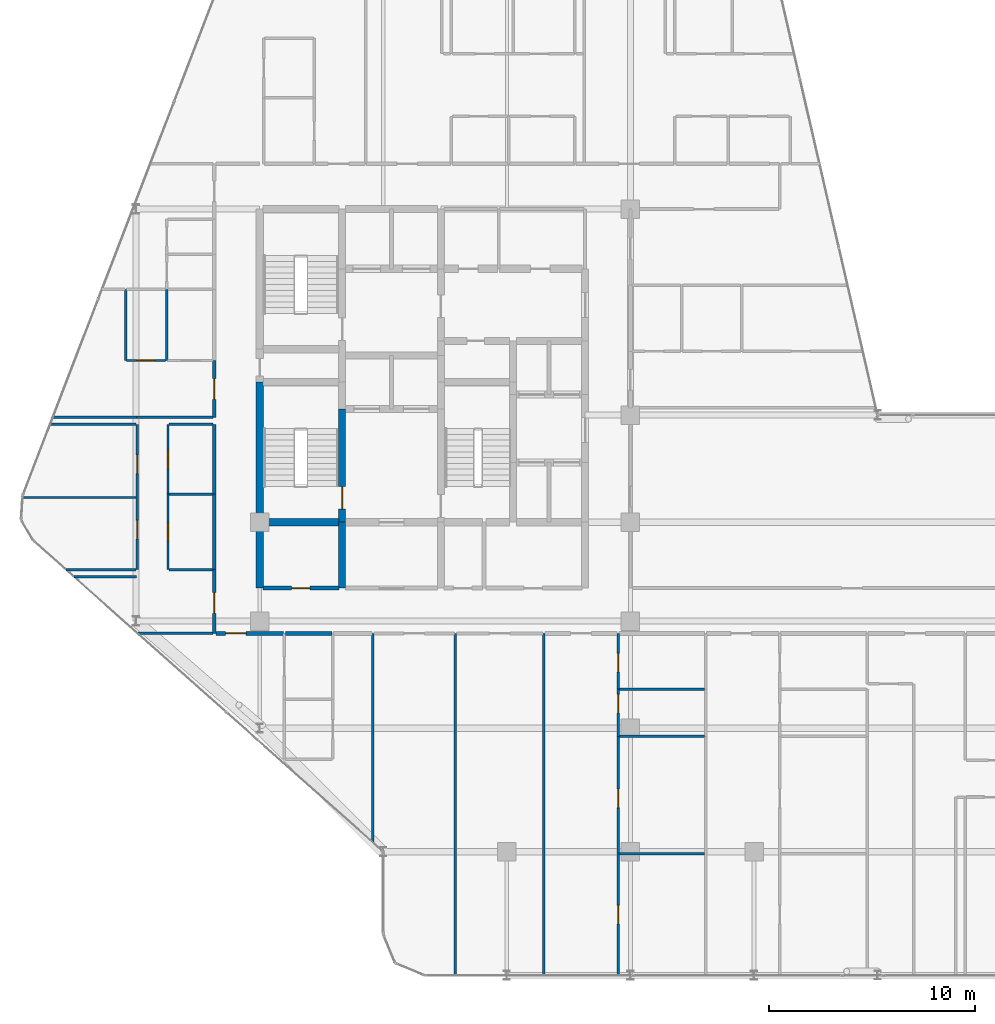
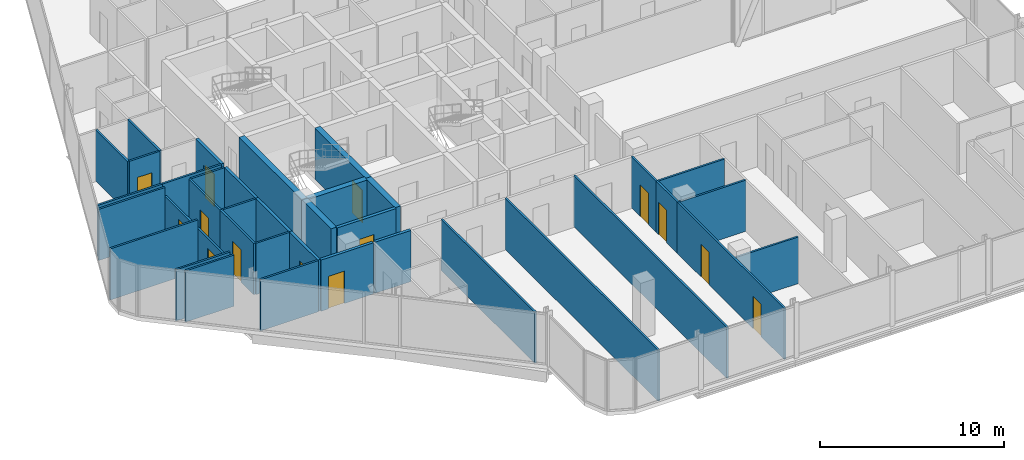
# One storey, part 23 of 29: 37 walls, 14 doors, 14 openings.
"""IFC4 building model written with IfcOpenShell, lengths in metres."""

from ifc_helpers import new_model, si_unit, direction, frame, frame_2d, origin, place, context, subcontext, project, spatial, rectangle, extrude, material, layer, layer_set, type_object, element, fill, save


model = new_model("IFC4")

# Units and contexts
model_context = context("Model", 3, precision=1e-05, world=origin(), true_north=direction((0.0, 1.0)))
body_context = subcontext(model_context, "Body", "Model", "MODEL_VIEW")
ifc_project = project(units=[si_unit("LENGTHUNIT", "METRE"), si_unit("AREAUNIT", "SQUARE_METRE"), si_unit("VOLUMEUNIT", "CUBIC_METRE"), si_unit("PLANEANGLEUNIT", "RADIAN"), si_unit("MASSUNIT", "GRAM", prefix="KILO")], contexts=[model_context])

# Site, building, storey
site_placement = place(None, origin())
site = spatial("IfcSite", under=ifc_project, at=site_placement, CompositionType="ELEMENT")
building_placement = place(site_placement, origin())
building = spatial("IfcBuilding", under=site, at=building_placement, Name="Keshet Zoharim Tower", CompositionType="ELEMENT")
storey_placement = place(building_placement, frame((0.0, 0.0, 199.5)))
storey = spatial("IfcBuildingStorey", under=building, at=storey_placement, Name="L49", CompositionType="ELEMENT", Elevation=199.5)

# Walls
ifc_material_1 = material(Name="Concrete C60/75", Category="concrete")
ifc_layer_1 = layer(ifc_material_1, 0.35009765625)
ifc_layer_set_1 = layer_set([ifc_layer_1], Name="Concrete C60/75")
wall_type_1 = type_object("IfcWallType", Name="WL-CORE-350", PredefinedType="SHEAR", material=ifc_layer_set_1)
wall_1_placement = place(storey_placement, frame((15.0, 19.5, 0.0), z_axis=(0.0, 0.0, 1.0), x_axis=(0.0, 1.0, 0.0)))
element("IfcWall", 1, at=wall_1_placement, inside=storey, type_object=wall_type_1, Name="L49 Core Shear Wall 016", PredefinedType="SHEAR", context=body_context, shape_type="SweptSolid", body=[
    extrude(rectangle(XDim=3.199951171875, YDim=0.35009765625, at=frame_2d((1.60009765625, 0.0))), origin(), (0.0, 0.0, 1.0), 3.389892578125),
])
wall_2_placement = place(storey_placement, frame((15.0, 22.699951171875, 0.0), z_axis=(0.0, 0.0, 1.0), x_axis=(0.0, 1.0, 0.0)))
element("IfcWall", 2, at=wall_2_placement, inside=storey, type_object=wall_type_1, Name="L49 Core Shear Wall 017", PredefinedType="SHEAR", context=body_context, shape_type="SweptSolid", body=[
    extrude(rectangle(XDim=6.800048828125, YDim=0.35009765625, at=frame_2d((3.39990234375, 0.0))), origin(), (0.0, 0.0, 1.0), 3.389892578125),
])
wall_3_placement = place(storey_placement, frame((19.0, 19.5, 0.0), z_axis=(0.0, 0.0, 1.0), x_axis=(0.0, 1.0, 0.0)))
element("IfcWall", 3, at=wall_3_placement, inside=storey, type_object=wall_type_1, Name="L49 Core Shear Wall 028", PredefinedType="SHEAR", context=body_context, shape_type="SweptSolid", body=[
    extrude(rectangle(XDim=3.199951171875, YDim=0.35009765625, at=frame_2d((1.60009765625, 0.0))), origin(), (0.0, 0.0, 1.0), 3.389892578125),
])

# Wall, opening, door
wall_4_placement = place(storey_placement, frame((19.0, 22.699951171875, 0.0), z_axis=(0.0, 0.0, 1.0), x_axis=(0.0, 1.0, 0.0)))
wall_4 = element("IfcWall", 4, at=wall_4_placement, inside=storey, type_object=wall_type_1, Name="L49 Core Shear Wall 029", PredefinedType="SHEAR", context=body_context, shape_type="SweptSolid", body=[
    extrude(rectangle(XDim=5.5, YDim=0.35009765625, at=frame_2d((2.75, 0.0))), origin(), (0.0, 0.0, 1.0), 3.389892578125),
])
opening_1_placement = place(wall_4_placement, frame((0.631103515625, 0.0, 0.0)))
opening_1 = element("IfcOpeningElement", 5, at=opening_1_placement, cuts=wall_4, Name="Opening D-F611", PredefinedType="OPENING", context=body_context, shape_type="SweptSolid", body=[
    extrude(rectangle(XDim=1.10009765625, YDim=2.14990234375, at=frame_2d((0.550048828125, 1.074951171875))), frame((0.0, 0.18505859375, 0.0), z_axis=(0.0, -1.0, 0.0), x_axis=(1.0, 0.0, 0.0)), (0.0, 0.0, 1.0), 0.3701171875),
])
ifc_material_2 = material(Name="Hardwood Timber", Category="wood")
door_type_1 = type_object("IfcDoorType", Name="DR-FD60-110", OperationType="NOTDEFINED", PredefinedType="DOOR", material=ifc_material_2)
door_1_placement = place(opening_1_placement, origin())
door_1 = element("IfcDoor", 6, at=door_1_placement, inside=storey, type_object=door_type_1, Name="L49 Exit Stair ST-01 Fire Door", OperationType="SINGLE_SWING_RIGHT", OverallHeight=2.14990234375, OverallWidth=1.10009765625, PredefinedType="DOOR", context=body_context, shape_type="SweptSolid", body=[
    extrude(rectangle(XDim=1.10009765625, YDim=2.14990234375, at=frame_2d((0.550048828125, 1.074951171875))), frame((0.0, 0.02490234375, 0.0), z_axis=(0.0, -1.0, 0.0), x_axis=(1.0, 0.0, 0.0)), (0.0, 0.0, 1.0), 0.050048828125),
])
fill(opening_1, door_1)

# Wall
wall_5_placement = place(storey_placement, frame((15.159912109375, 22.699951171875, 0.0), z_axis=(0.0, 0.0, 1.0), x_axis=(1.0, 0.0, 0.0)))
element("IfcWall", 7, at=wall_5_placement, inside=storey, type_object=wall_type_1, Name="L49 Core Shear Wall 138", PredefinedType="SHEAR", context=body_context, shape_type="SweptSolid", body=[
    extrude(rectangle(XDim=3.68017578125, YDim=0.35009765625, at=frame_2d((1.840087890625, 0.0))), origin(), (0.0, 0.0, 1.0), 3.389892578125),
])

# Wall, opening, door
ifc_material_3 = material(Name="Gypsum Plasterboard", Category="gypsum")
ifc_layer_2 = layer(ifc_material_3, 0.179931640625)
ifc_layer_set_2 = layer_set([ifc_layer_2], Name="Gypsum Plasterboard")
wall_type_2 = type_object("IfcWallType", Name="WL-CORR-180", PredefinedType="STANDARD", material=ifc_layer_set_2)
wall_6_placement = place(storey_placement, frame((12.800048828125, 17.300048828125, 0.0), z_axis=(0.0, 0.0, 1.0), x_axis=(0.0, 1.0, 0.0)))
wall_6 = element("IfcWall", 8, at=wall_6_placement, inside=storey, type_object=wall_type_2, Name="L49 Interior Wall 008", PredefinedType="STANDARD", context=body_context, shape_type="SweptSolid", body=[
    extrude(rectangle(XDim=3.099853515625, YDim=0.179931640625, at=frame_2d((1.5498046875, 0.0))), origin(), (0.0, 0.0, 1.0), 3.389892578125),
])
opening_2_placement = place(wall_6_placement, frame((0.97802734375, 0.0, 0.0)))
opening_2 = element("IfcOpeningElement", 9, at=opening_2_placement, cuts=wall_6, Name="Opening D-F310", PredefinedType="OPENING", context=body_context, shape_type="SweptSolid", body=[
    extrude(rectangle(XDim=1.0, YDim=2.14990234375, at=frame_2d((0.5, 1.074951171875))), frame((0.0, 0.10009765625, 0.0), z_axis=(0.0, -1.0, 0.0), x_axis=(1.0, 0.0, 0.0)), (0.0, 0.0, 1.0), 0.199951171875),
])
door_type_2 = type_object("IfcDoorType", Name="DR-FD30-100", OperationType="NOTDEFINED", PredefinedType="DOOR", material=ifc_material_2)
door_2_placement = place(opening_2_placement, origin())
door_2 = element("IfcDoor", 10, at=door_2_placement, inside=storey, type_object=door_type_2, Name="Apartment 4908 Entrance Door", OperationType="SINGLE_SWING_RIGHT", OverallHeight=2.14990234375, OverallWidth=1.0, PredefinedType="DOOR", context=body_context, shape_type="SweptSolid", body=[
    extrude(rectangle(XDim=1.0, YDim=2.14990234375, at=frame_2d((0.5, 1.074951171875))), frame((0.0, 0.02490234375, 0.0), z_axis=(0.0, -1.0, 0.0), x_axis=(1.0, 0.0, 0.0)), (0.0, 0.0, 1.0), 0.050048828125),
])
fill(opening_2, door_2)

# Walls
wall_7_placement = place(storey_placement, frame((12.800048828125, 20.39990234375, 0.0), z_axis=(0.0, 0.0, 1.0), x_axis=(0.0, 1.0, 0.0)))
element("IfcWall", 11, at=wall_7_placement, inside=storey, type_object=wall_type_2, Name="L49 Interior Wall 009", PredefinedType="STANDARD", context=body_context, shape_type="SweptSolid", body=[
    extrude(rectangle(XDim=3.6611328125, YDim=0.179931640625, at=frame_2d((1.83056640625, 0.0))), origin(), (0.0, 0.0, 1.0), 3.389892578125),
])
wall_8_placement = place(storey_placement, frame((12.800048828125, 24.06103515625, 0.0), z_axis=(0.0, 0.0, 1.0), x_axis=(0.0, 1.0, 0.0)))
element("IfcWall", 12, at=wall_8_placement, inside=storey, type_object=wall_type_2, Name="L49 Interior Wall 010", PredefinedType="STANDARD", context=body_context, shape_type="SweptSolid", body=[
    extrude(rectangle(XDim=3.37890625, YDim=0.179931640625, at=frame_2d((1.689453125, 0.0))), origin(), (0.0, 0.0, 1.0), 3.389892578125),
])

# Wall, opening, door
wall_9_placement = place(storey_placement, frame((12.800048828125, 27.7900390625, 0.0), z_axis=(0.0, 0.0, 1.0), x_axis=(0.0, 1.0, 0.0)))
wall_9 = element("IfcWall", 13, at=wall_9_placement, inside=storey, type_object=wall_type_2, Name="L49 Interior Wall 011", PredefinedType="STANDARD", context=body_context, shape_type="SweptSolid", body=[
    extrude(rectangle(XDim=2.75, YDim=0.179931640625, at=frame_2d((1.375, 0.0))), origin(), (0.0, 0.0, 1.0), 3.389892578125),
])
opening_3_placement = place(wall_9_placement, frame((0.875, 0.0, 0.0)))
opening_3 = element("IfcOpeningElement", 14, at=opening_3_placement, cuts=wall_9, Name="Opening D-F310", PredefinedType="OPENING", context=body_context, shape_type="SweptSolid", body=[
    extrude(rectangle(XDim=1.0, YDim=2.14990234375, at=frame_2d((0.5, 1.074951171875))), frame((0.0, 0.10009765625, 0.0), z_axis=(0.0, -1.0, 0.0), x_axis=(1.0, 0.0, 0.0)), (0.0, 0.0, 1.0), 0.199951171875),
])
door_3_placement = place(opening_3_placement, origin())
door_3 = element("IfcDoor", 15, at=door_3_placement, inside=storey, type_object=door_type_2, Name="Apartment 4909 Entrance Door", OperationType="SINGLE_SWING_LEFT", OverallHeight=2.14990234375, OverallWidth=1.0, PredefinedType="DOOR", context=body_context, shape_type="SweptSolid", body=[
    extrude(rectangle(XDim=1.0, YDim=2.14990234375, at=frame_2d((0.5, 1.074951171875))), frame((0.0, 0.02490234375, 0.0), z_axis=(0.0, -1.0, 0.0), x_axis=(1.0, 0.0, 0.0)), (0.0, 0.0, 1.0), 0.050048828125),
])
fill(opening_3, door_3)

wall_10_placement = place(storey_placement, frame((12.875, 17.300048828125, 0.0), z_axis=(0.0, 0.0, 1.0), x_axis=(1.0, 0.0, 0.0)))
wall_10 = element("IfcWall", 16, at=wall_10_placement, inside=storey, type_object=wall_type_2, Name="L49 Interior Wall 116", PredefinedType="STANDARD", context=body_context, shape_type="SweptSolid", body=[
    extrude(rectangle(XDim=3.280029296875, YDim=0.179931640625, at=frame_2d((1.64013671875, 0.0))), origin(), (0.0, 0.0, 1.0), 3.389892578125),
])
opening_4_placement = place(wall_10_placement, frame((0.470947265625, 0.0, 0.0)))
opening_4 = element("IfcOpeningElement", 17, at=opening_4_placement, cuts=wall_10, Name="Opening D-F310", PredefinedType="OPENING", context=body_context, shape_type="SweptSolid", body=[
    extrude(rectangle(XDim=1.0, YDim=2.14990234375, at=frame_2d((0.5, 1.074951171875))), frame((0.0, 0.10009765625, 0.0), z_axis=(0.0, -1.0, 0.0), x_axis=(1.0, 0.0, 0.0)), (0.0, 0.0, 1.0), 0.199951171875),
])
door_4_placement = place(opening_4_placement, origin())
door_4 = element("IfcDoor", 18, at=door_4_placement, inside=storey, type_object=door_type_2, Name="Apartment 4901 Entrance Door", OperationType="SINGLE_SWING_LEFT", OverallHeight=2.14990234375, OverallWidth=1.0, PredefinedType="DOOR", context=body_context, shape_type="SweptSolid", body=[
    extrude(rectangle(XDim=1.0, YDim=2.14990234375, at=frame_2d((0.5, 1.074951171875))), frame((0.0, 0.02490234375, 0.0), z_axis=(0.0, -1.0, 0.0), x_axis=(1.0, 0.0, 0.0)), (0.0, 0.0, 1.0), 0.050048828125),
])
fill(opening_4, door_4)

# Wall
wall_11_placement = place(storey_placement, frame((16.2451171875, 17.300048828125, 0.0), z_axis=(0.0, 0.0, 1.0), x_axis=(1.0, 0.0, 0.0)))
element("IfcWall", 19, at=wall_11_placement, inside=storey, type_object=wall_type_2, Name="L49 Interior Wall 117", PredefinedType="STANDARD", context=body_context, shape_type="SweptSolid", body=[
    extrude(rectangle(XDim=2.259765625, YDim=0.179931640625, at=frame_2d((1.1298828125, 0.0))), origin(), (0.0, 0.0, 1.0), 3.389892578125),
])

# Wall, opening, door
ifc_material_4 = material(Name="Concrete C50/60", Category="concrete")
ifc_layer_3 = layer(ifc_material_4, 0.199951171875)
ifc_layer_set_3 = layer_set([ifc_layer_3], Name="Concrete C50/60")
wall_type_3 = type_object("IfcWallType", Name="WL-FIRE-200", PredefinedType="STANDARD", material=ifc_layer_set_3)
wall_12_placement = place(storey_placement, frame((15.159912109375, 19.5, 0.0), z_axis=(0.0, 0.0, 1.0), x_axis=(1.0, 0.0, 0.0)))
wall_12 = element("IfcWall", 20, at=wall_12_placement, inside=storey, type_object=wall_type_3, Name="L49 Interior Wall 130", PredefinedType="STANDARD", context=body_context, shape_type="SweptSolid", body=[
    extrude(rectangle(XDim=3.68017578125, YDim=0.199951171875, at=frame_2d((1.840087890625, 0.0))), origin(), (0.0, 0.0, 1.0), 3.389892578125),
])
opening_5_placement = place(wall_12_placement, frame((1.389892578125, 0.0, 0.0)))
opening_5 = element("IfcOpeningElement", 21, at=opening_5_placement, cuts=wall_12, Name="Opening D-F690", PredefinedType="OPENING", context=body_context, shape_type="SweptSolid", body=[
    extrude(rectangle(XDim=0.89990234375, YDim=2.14990234375, at=frame_2d((0.449951171875, 1.074951171875))), frame((0.0, 0.10986328125, 0.0), z_axis=(0.0, -1.0, 0.0), x_axis=(1.0, 0.0, 0.0)), (0.0, 0.0, 1.0), 0.219970703125),
])
door_type_3 = type_object("IfcDoorType", Name="DR-FD60-090", OperationType="NOTDEFINED", PredefinedType="DOOR", material=ifc_material_2)
door_5_placement = place(opening_5_placement, origin())
door_5 = element("IfcDoor", 22, at=door_5_placement, inside=storey, type_object=door_type_3, Name="L49 Refuse Room Door", OperationType="SINGLE_SWING_LEFT", OverallHeight=2.14990234375, OverallWidth=0.89990234375, PredefinedType="DOOR", context=body_context, shape_type="SweptSolid", body=[
    extrude(rectangle(XDim=0.89990234375, YDim=2.14990234375, at=frame_2d((0.449951171875, 1.074951171875))), frame((0.0, 0.02490234375, 0.0), z_axis=(0.0, -1.0, 0.0), x_axis=(1.0, 0.0, 0.0)), (0.0, 0.0, 1.0), 0.050048828125),
])
fill(opening_5, door_5)

# Wall
ifc_layer_4 = layer(ifc_material_3, 0.1201171875)
ifc_layer_set_4 = layer_set([ifc_layer_4], Name="Gypsum Plasterboard")
wall_type_4 = type_object("IfcWallType", Name="WL-PART-120", PredefinedType="PARTITIONING", material=ifc_layer_set_4)
wall_13_placement = place(storey_placement, frame((8.5, 30.5400390625, 0.0), z_axis=(0.0, 0.0, 1.0), x_axis=(0.0, 1.0, 0.0)))
element("IfcWall", 23, at=wall_13_placement, inside=storey, type_object=wall_type_4, Name="L49 Interior Wall 001", PredefinedType="PARTITIONING", context=body_context, shape_type="SweptSolid", body=[
    extrude(rectangle(XDim=3.4599609375, YDim=0.1201171875, at=frame_2d((1.72998046875, 0.0))), origin(), (0.0, 0.0, 1.0), 3.389892578125),
])

# Wall, openings, doors
wall_14_placement = place(storey_placement, frame((9.050048828125, 20.39990234375, 0.0), z_axis=(0.0, 0.0, 1.0), x_axis=(0.0, 1.0, 0.0)))
wall_14 = element("IfcWall", 24, at=wall_14_placement, inside=storey, type_object=wall_type_4, Name="L49 Interior Wall 002", PredefinedType="PARTITIONING", context=body_context, shape_type="SweptSolid", body=[
    extrude(rectangle(XDim=7.0400390625, YDim=0.1201171875, at=frame_2d((3.52001953125, 0.0))), origin(), (0.0, 0.0, 1.0), 2.7900390625),
])
opening_6_placement = place(wall_14_placement, frame((1.485107421875, 0.0, 0.0)))
opening_6 = element("IfcOpeningElement", 25, at=opening_6_placement, cuts=wall_14, Name="Opening D-IN90", PredefinedType="OPENING", context=body_context, shape_type="SweptSolid", body=[
    extrude(rectangle(XDim=0.89990234375, YDim=2.14990234375, at=frame_2d((0.449951171875, 1.074951171875))), frame((0.0, 0.070068359375, 0.0), z_axis=(0.0, -1.0, 0.0), x_axis=(1.0, 0.0, 0.0)), (0.0, 0.0, 1.0), 0.14013671875),
])
opening_7_placement = place(wall_14_placement, frame((4.655029296875, 0.0, 0.0)))
opening_7 = element("IfcOpeningElement", 26, at=opening_7_placement, cuts=wall_14, Name="Opening D-IN90", PredefinedType="OPENING", context=body_context, shape_type="SweptSolid", body=[
    extrude(rectangle(XDim=0.89990234375, YDim=2.14990234375, at=frame_2d((0.449951171875, 1.074951171875))), frame((0.0, 0.070068359375, 0.0), z_axis=(0.0, -1.0, 0.0), x_axis=(1.0, 0.0, 0.0)), (0.0, 0.0, 1.0), 0.14013671875),
])
door_type_4 = type_object("IfcDoorType", Name="DR-INT-090", OperationType="NOTDEFINED", PredefinedType="DOOR", material=ifc_material_2)
door_6_placement = place(opening_6_placement, origin())
door_6 = element("IfcDoor", 27, at=door_6_placement, inside=storey, type_object=door_type_4, Name="Apartment 4908 Bedroom 1 Door", OperationType="SINGLE_SWING_RIGHT", OverallHeight=2.14990234375, OverallWidth=0.89990234375, PredefinedType="DOOR", context=body_context, shape_type="SweptSolid", body=[
    extrude(rectangle(XDim=0.89990234375, YDim=2.14990234375, at=frame_2d((0.449951171875, 1.074951171875))), frame((0.0, 0.02490234375, 0.0), z_axis=(0.0, -1.0, 0.0), x_axis=(1.0, 0.0, 0.0)), (0.0, 0.0, 1.0), 0.050048828125),
])
fill(opening_6, door_6)
door_7_placement = place(opening_7_placement, origin())
door_7 = element("IfcDoor", 28, at=door_7_placement, inside=storey, type_object=door_type_4, Name="Apartment 4908 Bedroom 2 Door", OperationType="SINGLE_SWING_LEFT", OverallHeight=2.14990234375, OverallWidth=0.89990234375, PredefinedType="DOOR", context=body_context, shape_type="SweptSolid", body=[
    extrude(rectangle(XDim=0.89990234375, YDim=2.14990234375, at=frame_2d((0.449951171875, 1.074951171875))), frame((0.0, 0.02490234375, 0.0), z_axis=(0.0, -1.0, 0.0), x_axis=(1.0, 0.0, 0.0)), (0.0, 0.0, 1.0), 0.050048828125),
])
fill(opening_7, door_7)

# Wall, opening, door
wall_15_placement = place(storey_placement, frame((10.550048828125, 20.39990234375, 0.0), z_axis=(0.0, 0.0, 1.0), x_axis=(0.0, 1.0, 0.0)))
wall_15 = element("IfcWall", 29, at=wall_15_placement, inside=storey, type_object=wall_type_4, Name="L49 Interior Wall 006", PredefinedType="PARTITIONING", context=body_context, shape_type="SweptSolid", body=[
    extrude(rectangle(XDim=3.6611328125, YDim=0.1201171875, at=frame_2d((1.83056640625, 0.0))), origin(), (0.0, 0.0, 1.0), 3.389892578125),
])
opening_8_placement = place(wall_15_placement, frame((1.3798828125, 0.0, 0.0)))
opening_8 = element("IfcOpeningElement", 30, at=opening_8_placement, cuts=wall_15, Name="Opening D-IN90", PredefinedType="OPENING", context=body_context, shape_type="SweptSolid", body=[
    extrude(rectangle(XDim=0.89990234375, YDim=2.14990234375, at=frame_2d((0.449951171875, 1.074951171875))), frame((0.0, 0.070068359375, 0.0), z_axis=(0.0, -1.0, 0.0), x_axis=(1.0, 0.0, 0.0)), (0.0, 0.0, 1.0), 0.14013671875),
])
door_8_placement = place(opening_8_placement, origin())
door_8 = element("IfcDoor", 31, at=door_8_placement, inside=storey, type_object=door_type_4, Name="Apartment 4908 Kitchen Door", OperationType="SINGLE_SWING_RIGHT", OverallHeight=2.14990234375, OverallWidth=0.89990234375, PredefinedType="DOOR", context=body_context, shape_type="SweptSolid", body=[
    extrude(rectangle(XDim=0.89990234375, YDim=2.14990234375, at=frame_2d((0.449951171875, 1.074951171875))), frame((0.0, 0.02490234375, 0.0), z_axis=(0.0, -1.0, 0.0), x_axis=(1.0, 0.0, 0.0)), (0.0, 0.0, 1.0), 0.050048828125),
])
fill(opening_8, door_8)

# Walls
wall_16_placement = place(storey_placement, frame((20.5, 7.154052734375, 0.0), z_axis=(0.0, 0.0, 1.0), x_axis=(0.0, 1.0, 0.0)))
element("IfcWall", 32, at=wall_16_placement, inside=storey, type_object=wall_type_4, Name="L49 Interior Wall 034", PredefinedType="PARTITIONING", context=body_context, shape_type="SweptSolid", body=[
    extrude(rectangle(XDim=10.14599609375, YDim=0.1201171875, at=frame_2d((5.072998046875, 0.0))), origin(), (0.0, 0.0, 1.0), 3.389892578125),
])
for number, where, z_axis, x_axis, name in (
    (33, (24.5, 0.7099609375, 0.0), (0.0, 0.0, 1.0), (0.0, 1.0, 0.0), "L49 Interior Wall 047"),
    (34, (28.800048828125, 0.7099609375, 0.0), (0.0, 0.0, 1.0), (0.0, 1.0, 0.0), "L49 Interior Wall 056"),
):
    element("IfcWall", number, at=place(storey_placement, frame(where, z_axis=z_axis, x_axis=x_axis)), inside=storey, type_object=wall_type_4, Name=name, PredefinedType="PARTITIONING", context=body_context, shape_type="SweptSolid", body=[
        extrude(rectangle(XDim=16.590087890625, YDim=0.1201171875, at=frame_2d((8.294921875, 0.0))), origin(), (0.0, 0.0, 1.0), 3.389892578125),
    ])

# Wall, openings, doors
wall_17_placement = place(storey_placement, frame((32.39990234375, 0.7099609375, 0.0), z_axis=(0.0, 0.0, 1.0), x_axis=(0.0, 1.0, 0.0)))
wall_17 = element("IfcWall", 35, at=wall_17_placement, inside=storey, type_object=wall_type_4, Name="L49 Interior Wall 068", PredefinedType="PARTITIONING", context=body_context, shape_type="SweptSolid", body=[
    extrude(rectangle(XDim=11.590087890625, YDim=0.1201171875, at=frame_2d((5.794921875, 0.0))), origin(), (0.0, 0.0, 1.0), 3.389892578125),
])
opening_9_placement = place(wall_17_placement, frame((2.489990234375, 0.0, 0.0)))
opening_9 = element("IfcOpeningElement", 36, at=opening_9_placement, cuts=wall_17, Name="Opening D-IN90", PredefinedType="OPENING", context=body_context, shape_type="SweptSolid", body=[
    extrude(rectangle(XDim=0.89990234375, YDim=2.14990234375, at=frame_2d((0.449951171875, 1.074951171875))), frame((0.0, 0.070068359375, 0.0), z_axis=(0.0, -1.0, 0.0), x_axis=(1.0, 0.0, 0.0)), (0.0, 0.0, 1.0), 0.14013671875),
])
opening_10_placement = place(wall_17_placement, frame((8.133056640625, 0.0, 0.0)))
opening_10 = element("IfcOpeningElement", 37, at=opening_10_placement, cuts=wall_17, Name="Opening D-IN90", PredefinedType="OPENING", context=body_context, shape_type="SweptSolid", body=[
    extrude(rectangle(XDim=0.89990234375, YDim=2.14990234375, at=frame_2d((0.449951171875, 1.074951171875))), frame((0.0, 0.070068359375, 0.0), z_axis=(0.0, -1.0, 0.0), x_axis=(1.0, 0.0, 0.0)), (0.0, 0.0, 1.0), 0.14013671875),
])
door_9_placement = place(opening_9_placement, origin())
door_9 = element("IfcDoor", 38, at=door_9_placement, inside=storey, type_object=door_type_4, Name="Apartment 4902 Bedroom 1 Door", OperationType="SINGLE_SWING_RIGHT", OverallHeight=2.14990234375, OverallWidth=0.89990234375, PredefinedType="DOOR", context=body_context, shape_type="SweptSolid", body=[
    extrude(rectangle(XDim=0.89990234375, YDim=2.14990234375, at=frame_2d((0.449951171875, 1.074951171875))), frame((0.0, 0.02490234375, 0.0), z_axis=(0.0, -1.0, 0.0), x_axis=(1.0, 0.0, 0.0)), (0.0, 0.0, 1.0), 0.050048828125),
])
fill(opening_9, door_9)
door_10_placement = place(opening_10_placement, origin())
door_10 = element("IfcDoor", 39, at=door_10_placement, inside=storey, type_object=door_type_4, Name="Apartment 4902 Bedroom 2 Door", OperationType="SINGLE_SWING_LEFT", OverallHeight=2.14990234375, OverallWidth=0.89990234375, PredefinedType="DOOR", context=body_context, shape_type="SweptSolid", body=[
    extrude(rectangle(XDim=0.89990234375, YDim=2.14990234375, at=frame_2d((0.449951171875, 1.074951171875))), frame((0.0, 0.02490234375, 0.0), z_axis=(0.0, -1.0, 0.0), x_axis=(1.0, 0.0, 0.0)), (0.0, 0.0, 1.0), 0.050048828125),
])
fill(opening_10, door_10)

# Wall, opening, door
wall_18_placement = place(storey_placement, frame((32.39990234375, 12.300048828125, 0.0), z_axis=(0.0, 0.0, 1.0), x_axis=(0.0, 1.0, 0.0)))
wall_18 = element("IfcWall", 40, at=wall_18_placement, inside=storey, type_object=wall_type_4, Name="L49 Interior Wall 069", PredefinedType="PARTITIONING", context=body_context, shape_type="SweptSolid", body=[
    extrude(rectangle(XDim=2.300048828125, YDim=0.1201171875, at=frame_2d((1.14990234375, 0.0))), origin(), (0.0, 0.0, 1.0), 3.389892578125),
])
opening_11_placement = place(wall_18_placement, frame((1.14208984375, 0.0, 0.0)))
opening_11 = element("IfcOpeningElement", 41, at=opening_11_placement, cuts=wall_18, Name="Opening D-IN90", PredefinedType="OPENING", context=body_context, shape_type="SweptSolid", body=[
    extrude(rectangle(XDim=0.89990234375, YDim=2.14990234375, at=frame_2d((0.449951171875, 1.074951171875))), frame((0.0, 0.070068359375, 0.0), z_axis=(0.0, -1.0, 0.0), x_axis=(1.0, 0.0, 0.0)), (0.0, 0.0, 1.0), 0.14013671875),
])
door_11_placement = place(opening_11_placement, origin())
door_11 = element("IfcDoor", 42, at=door_11_placement, inside=storey, type_object=door_type_4, Name="Apartment 4902 Kitchen Door", OperationType="SINGLE_SWING_RIGHT", OverallHeight=2.14990234375, OverallWidth=0.89990234375, PredefinedType="DOOR", context=body_context, shape_type="SweptSolid", body=[
    extrude(rectangle(XDim=0.89990234375, YDim=2.14990234375, at=frame_2d((0.449951171875, 1.074951171875))), frame((0.0, 0.02490234375, 0.0), z_axis=(0.0, -1.0, 0.0), x_axis=(1.0, 0.0, 0.0)), (0.0, 0.0, 1.0), 0.050048828125),
])
fill(opening_11, door_11)

# Walls
wall_19_placement = place(storey_placement, frame((32.445068359375, 6.60009765625, 0.0), z_axis=(0.0, 0.0, 1.0), x_axis=(1.0, 0.0, 0.0)))
element("IfcWall", 43, at=wall_19_placement, inside=storey, type_object=wall_type_4, Name="L49 Interior Wall 102", PredefinedType="PARTITIONING", context=body_context, shape_type="SweptSolid", body=[
    extrude(rectangle(XDim=4.159912109375, YDim=0.1201171875, at=frame_2d((2.080078125, 0.0))), origin(), (0.0, 0.0, 1.0), 3.090087890625),
])
wall_20_placement = place(storey_placement, frame((32.445068359375, 12.300048828125, 0.0), z_axis=(0.0, 0.0, 1.0), x_axis=(1.0, 0.0, 0.0)))
element("IfcWall", 44, at=wall_20_placement, inside=storey, type_object=wall_type_4, Name="L49 Interior Wall 109", PredefinedType="PARTITIONING", context=body_context, shape_type="SweptSolid", body=[
    extrude(rectangle(XDim=4.159912109375, YDim=0.1201171875, at=frame_2d((2.080078125, 0.0))), origin(), (0.0, 0.0, 1.0), 3.389892578125),
])
wall_21_placement = place(storey_placement, frame((9.0849609375, 17.300048828125, 0.0), z_axis=(0.0, 0.0, 1.0), x_axis=(1.0, 0.0, 0.0)))
element("IfcWall", 45, at=wall_21_placement, inside=storey, type_object=wall_type_4, Name="L49 Interior Wall 115", PredefinedType="PARTITIONING", context=body_context, shape_type="SweptSolid", body=[
    extrude(rectangle(XDim=3.64013671875, YDim=0.1201171875, at=frame_2d((1.820068359375, 0.0))), origin(), (0.0, 0.0, 1.0), 3.389892578125),
])
wall_22_placement = place(storey_placement, frame((5.990966796875, 20.050048828125, 0.0), z_axis=(0.0, 0.0, 1.0), x_axis=(1.0, 0.0, 0.0)))
element("IfcWall", 46, at=wall_22_placement, inside=storey, type_object=wall_type_4, Name="L49 Interior Wall 135", PredefinedType="PARTITIONING", context=body_context, shape_type="SweptSolid", body=[
    extrude(rectangle(XDim=3.0390625, YDim=0.1201171875, at=frame_2d((1.51953125, 0.0))), origin(), (0.0, 0.0, 1.0), 3.389892578125),
])
wall_23_placement = place(storey_placement, frame((5.596923828125, 20.39990234375, 0.0), z_axis=(0.0, 0.0, 1.0), x_axis=(1.0, 0.0, 0.0)))
element("IfcWall", 47, at=wall_23_placement, inside=storey, type_object=wall_type_4, Name="L49 Interior Wall 136", PredefinedType="PARTITIONING", context=body_context, shape_type="SweptSolid", body=[
    extrude(rectangle(XDim=3.38818359375, YDim=0.1201171875, at=frame_2d((1.694091796875, 0.0))), origin(), (0.0, 0.0, 1.0), 3.389892578125),
])
wall_24_placement = place(storey_placement, frame((10.594970703125, 20.39990234375, 0.0), z_axis=(0.0, 0.0, 1.0), x_axis=(1.0, 0.0, 0.0)))
element("IfcWall", 48, at=wall_24_placement, inside=storey, type_object=wall_type_4, Name="L49 Interior Wall 137", PredefinedType="PARTITIONING", context=body_context, shape_type="SweptSolid", body=[
    extrude(rectangle(XDim=2.130126953125, YDim=0.1201171875, at=frame_2d((1.06494140625, 0.0))), origin(), (0.0, 0.0, 1.0), 3.389892578125),
])
wall_25_placement = place(storey_placement, frame((3.5009765625, 23.89990234375, 0.0), z_axis=(0.0, 0.0, 1.0), x_axis=(1.0, 0.0, 0.0)))
element("IfcWall", 49, at=wall_25_placement, inside=storey, type_object=wall_type_4, Name="L49 Interior Wall 143", PredefinedType="PARTITIONING", context=body_context, shape_type="SweptSolid", body=[
    extrude(rectangle(XDim=5.484130859375, YDim=0.1201171875, at=frame_2d((2.7421875, 0.0))), origin(), (0.0, 0.0, 1.0), 3.389892578125),
])
wall_26_placement = place(storey_placement, frame((4.8369140625, 27.449951171875, 0.0), z_axis=(0.0, 0.0, 1.0), x_axis=(1.0, 0.0, 0.0)))
element("IfcWall", 50, at=wall_26_placement, inside=storey, type_object=wall_type_4, Name="L49 Interior Wall 146", PredefinedType="PARTITIONING", context=body_context, shape_type="SweptSolid", body=[
    extrude(rectangle(XDim=4.148193359375, YDim=0.1201171875, at=frame_2d((2.07421875, 0.0))), origin(), (0.0, 0.0, 1.0), 3.389892578125),
])
wall_27_placement = place(storey_placement, frame((4.970947265625, 27.800048828125, 0.0), z_axis=(0.0, 0.0, 1.0), x_axis=(1.0, 0.0, 0.0)))
element("IfcWall", 51, at=wall_27_placement, inside=storey, type_object=wall_type_4, Name="L49 Interior Wall 148", PredefinedType="PARTITIONING", context=body_context, shape_type="SweptSolid", body=[
    extrude(rectangle(XDim=4.05908203125, YDim=0.1201171875, at=frame_2d((2.029541015625, 0.0))), origin(), (0.0, 0.0, 1.0), 3.389892578125),
])
wall_28_placement = place(storey_placement, frame((9.030029296875, 27.800048828125, 0.0), z_axis=(0.0, 0.0, 1.0), x_axis=(1.0, 0.0, 0.0)))
element("IfcWall", 52, at=wall_28_placement, inside=storey, type_object=wall_type_4, Name="L49 Interior Wall 149", PredefinedType="PARTITIONING", context=body_context, shape_type="SweptSolid", body=[
    extrude(rectangle(XDim=3.695068359375, YDim=0.1201171875, at=frame_2d((1.84765625, 0.0))), origin(), (0.0, 0.0, 1.0), 3.389892578125),
])

# Wall, opening, door
wall_29_placement = place(storey_placement, frame((8.544921875, 30.550048828125, 0.0), z_axis=(0.0, 0.0, 1.0), x_axis=(1.0, 0.0, 0.0)))
wall_29 = element("IfcWall", 53, at=wall_29_placement, inside=storey, type_object=wall_type_4, Name="L49 Interior Wall 155", PredefinedType="PARTITIONING", context=body_context, shape_type="SweptSolid", body=[
    extrude(rectangle(XDim=1.88818359375, YDim=0.1201171875, at=frame_2d((0.944091796875, 0.0))), origin(), (0.0, 0.0, 1.0), 3.389892578125),
])
opening_12_placement = place(wall_29_placement, frame((0.493896484375, 0.0, 0.0)))
opening_12 = element("IfcOpeningElement", 54, at=opening_12_placement, cuts=wall_29, Name="Opening D-IN90", PredefinedType="OPENING", context=body_context, shape_type="SweptSolid", body=[
    extrude(rectangle(XDim=0.89990234375, YDim=2.14990234375, at=frame_2d((0.449951171875, 1.074951171875))), frame((0.0, 0.070068359375, 0.0), z_axis=(0.0, -1.0, 0.0), x_axis=(1.0, 0.0, 0.0)), (0.0, 0.0, 1.0), 0.14013671875),
])
door_12_placement = place(opening_12_placement, origin())
door_12 = element("IfcDoor", 55, at=door_12_placement, inside=storey, type_object=door_type_4, Name="Apartment 4909 Kitchen Door", OperationType="SINGLE_SWING_LEFT", OverallHeight=2.14990234375, OverallWidth=0.89990234375, PredefinedType="DOOR", context=body_context, shape_type="SweptSolid", body=[
    extrude(rectangle(XDim=0.89990234375, YDim=2.14990234375, at=frame_2d((0.449951171875, 1.074951171875))), frame((0.0, 0.02490234375, 0.0), z_axis=(0.0, -1.0, 0.0), x_axis=(1.0, 0.0, 0.0)), (0.0, 0.0, 1.0), 0.050048828125),
])
fill(opening_12, door_12)

# Wall
ifc_layer_5 = layer(ifc_material_3, 0.1201171875)
ifc_layer_set_5 = layer_set([ifc_layer_5], Name="Gypsum Plasterboard")
wall_type_5 = type_object("IfcWallType", Name="WL-WET-120", PredefinedType="PARTITIONING", material=ifc_layer_set_5)
wall_30_placement = place(storey_placement, frame((10.5, 30.5400390625, 0.0), z_axis=(0.0, 0.0, 1.0), x_axis=(0.0, 1.0, 0.0)))
element("IfcWall", 56, at=wall_30_placement, inside=storey, type_object=wall_type_5, Name="L49 Interior Wall 003", PredefinedType="PARTITIONING", context=body_context, shape_type="SweptSolid", body=[
    extrude(rectangle(XDim=3.4599609375, YDim=0.1201171875, at=frame_2d((1.72998046875, 0.0))), origin(), (0.0, 0.0, 1.0), 3.389892578125),
])

# Wall, opening, door
wall_31_placement = place(storey_placement, frame((10.550048828125, 24.06103515625, 0.0), z_axis=(0.0, 0.0, 1.0), x_axis=(0.0, 1.0, 0.0)))
wall_31 = element("IfcWall", 57, at=wall_31_placement, inside=storey, type_object=wall_type_5, Name="L49 Interior Wall 007", PredefinedType="PARTITIONING", context=body_context, shape_type="SweptSolid", body=[
    extrude(rectangle(XDim=3.37890625, YDim=0.1201171875, at=frame_2d((1.689453125, 0.0))), origin(), (0.0, 0.0, 1.0), 3.389892578125),
])
opening_13_placement = place(wall_31_placement, frame((1.239013671875, 0.0, 0.0)))
opening_13 = element("IfcOpeningElement", 58, at=opening_13_placement, cuts=wall_31, Name="Opening D-WT90", PredefinedType="OPENING", context=body_context, shape_type="SweptSolid", body=[
    extrude(rectangle(XDim=0.89990234375, YDim=2.10009765625, at=frame_2d((0.449951171875, 1.050048828125))), frame((0.0, 0.070068359375, 0.0), z_axis=(0.0, -1.0, 0.0), x_axis=(1.0, 0.0, 0.0)), (0.0, 0.0, 1.0), 0.14013671875),
])
door_type_5 = type_object("IfcDoorType", Name="DR-WET-090", OperationType="NOTDEFINED", PredefinedType="DOOR", material=ifc_material_2)
door_13_placement = place(opening_13_placement, origin())
door_13 = element("IfcDoor", 59, at=door_13_placement, inside=storey, type_object=door_type_5, Name="Apartment 4908 Bathroom Door", OperationType="SINGLE_SWING_LEFT", OverallHeight=2.10009765625, OverallWidth=0.89990234375, PredefinedType="DOOR", context=body_context, shape_type="SweptSolid", body=[
    extrude(rectangle(XDim=0.89990234375, YDim=2.10009765625, at=frame_2d((0.449951171875, 1.050048828125))), frame((0.0, 0.02490234375, 0.0), z_axis=(0.0, -1.0, 0.0), x_axis=(1.0, 0.0, 0.0)), (0.0, 0.0, 1.0), 0.050048828125),
])
fill(opening_13, door_13)

wall_32_placement = place(storey_placement, frame((32.39990234375, 14.60009765625, 0.0), z_axis=(0.0, 0.0, 1.0), x_axis=(0.0, 1.0, 0.0)))
wall_32 = element("IfcWall", 60, at=wall_32_placement, inside=storey, type_object=wall_type_5, Name="L49 Interior Wall 070", PredefinedType="PARTITIONING", context=body_context, shape_type="SweptSolid", body=[
    extrude(rectangle(XDim=2.699951171875, YDim=0.1201171875, at=frame_2d((1.35009765625, 0.0))), origin(), (0.0, 0.0, 1.0), 3.389892578125),
])
opening_14_placement = place(wall_32_placement, frame((0.827880859375, 0.0, 0.0)))
opening_14 = element("IfcOpeningElement", 61, at=opening_14_placement, cuts=wall_32, Name="Opening D-WT90", PredefinedType="OPENING", context=body_context, shape_type="SweptSolid", body=[
    extrude(rectangle(XDim=0.89990234375, YDim=2.10009765625, at=frame_2d((0.449951171875, 1.050048828125))), frame((0.0, 0.070068359375, 0.0), z_axis=(0.0, -1.0, 0.0), x_axis=(1.0, 0.0, 0.0)), (0.0, 0.0, 1.0), 0.14013671875),
])
door_14_placement = place(opening_14_placement, origin())
door_14 = element("IfcDoor", 62, at=door_14_placement, inside=storey, type_object=door_type_5, Name="Apartment 4902 Bathroom Door", OperationType="SINGLE_SWING_LEFT", OverallHeight=2.10009765625, OverallWidth=0.89990234375, PredefinedType="DOOR", context=body_context, shape_type="SweptSolid", body=[
    extrude(rectangle(XDim=0.89990234375, YDim=2.10009765625, at=frame_2d((0.449951171875, 1.050048828125))), frame((0.0, 0.02490234375, 0.0), z_axis=(0.0, -1.0, 0.0), x_axis=(1.0, 0.0, 0.0)), (0.0, 0.0, 1.0), 0.050048828125),
])
fill(opening_14, door_14)

# Walls
wall_33_placement = place(storey_placement, frame((32.445068359375, 14.60009765625, 0.0), z_axis=(0.0, 0.0, 1.0), x_axis=(1.0, 0.0, 0.0)))
element("IfcWall", 63, at=wall_33_placement, inside=storey, type_object=wall_type_5, Name="L49 Interior Wall 112", PredefinedType="PARTITIONING", context=body_context, shape_type="SweptSolid", body=[
    extrude(rectangle(XDim=4.159912109375, YDim=0.1201171875, at=frame_2d((2.080078125, 0.0))), origin(), (0.0, 0.0, 1.0), 3.389892578125),
])
for number, where, z_axis, x_axis, name in (
    (64, (10.594970703125, 24.050048828125, 0.0), (0.0, 0.0, 1.0), (1.0, 0.0, 0.0), "L49 Interior Wall 144"),
    (65, (10.594970703125, 27.449951171875, 0.0), (0.0, 0.0, 1.0), (1.0, 0.0, 0.0), "L49 Interior Wall 147"),
):
    element("IfcWall", number, at=place(storey_placement, frame(where, z_axis=z_axis, x_axis=x_axis)), inside=storey, type_object=wall_type_5, Name=name, PredefinedType="PARTITIONING", context=body_context, shape_type="SweptSolid", body=[
        extrude(rectangle(XDim=2.130126953125, YDim=0.1201171875, at=frame_2d((1.06494140625, 0.0))), origin(), (0.0, 0.0, 1.0), 3.389892578125),
    ])

save(model, "model.ifc")
